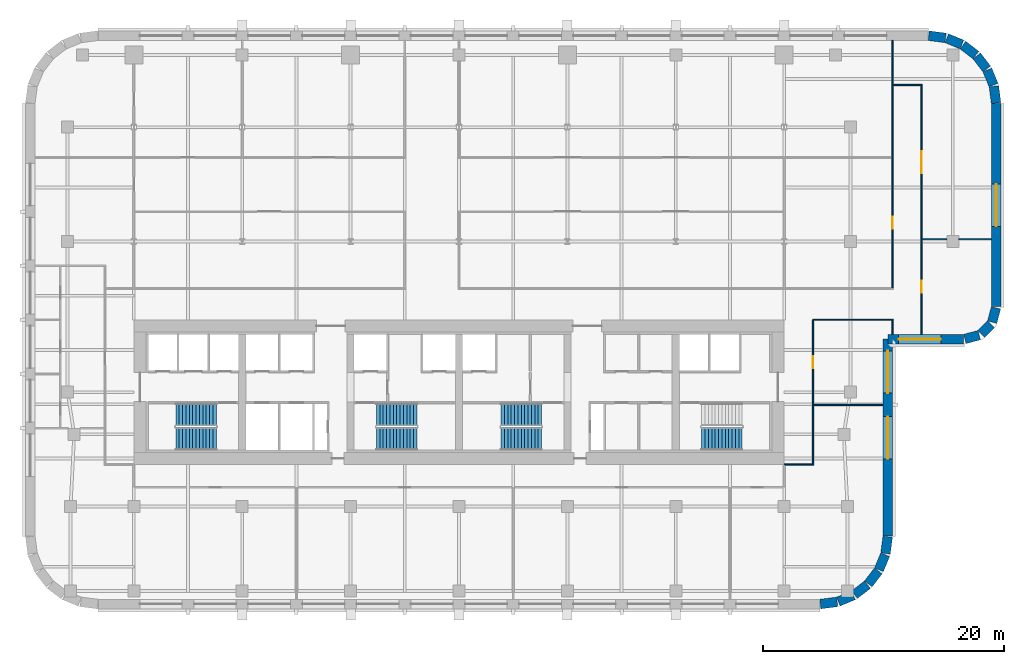
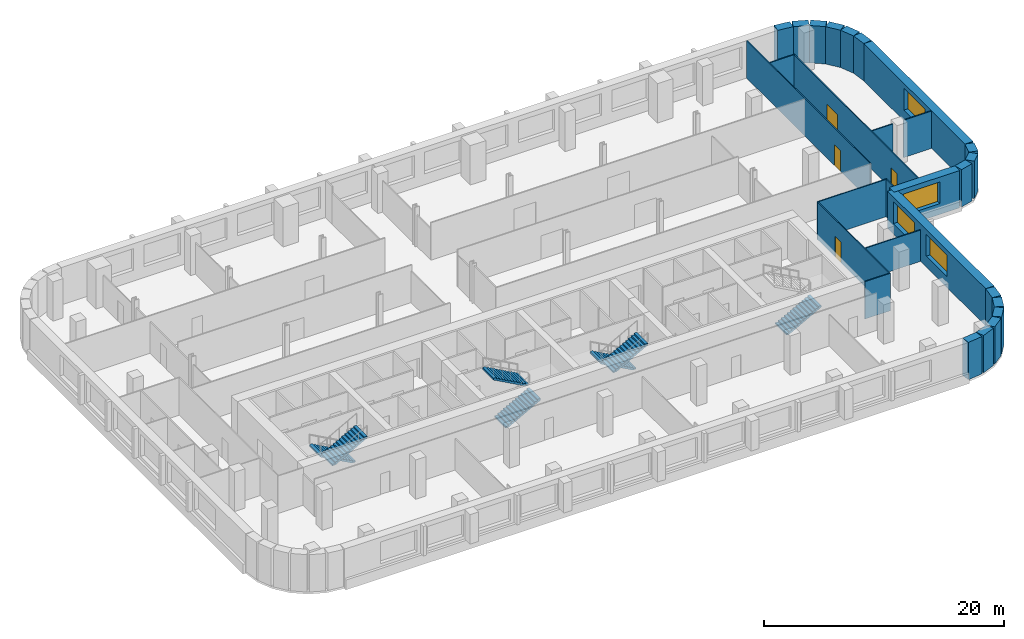
# One storey, part 7 of 10: 28 walls, 7 stair flights, 4 doors, 4 windows, 8 openings, 4 elements without a shape of their own.
"""IFC4 building model written with IfcOpenShell, lengths in metres."""

import ifcopenshell
import ifcopenshell.guid

model = None  # the IFC model being written
_history = None  # IfcOwnerHistory: only IFC2X3 demands one
_inside = {}  # id of a spatial element -> (the spatial element, [elements in it])
_under = {}  # id of a project, library or spatial element -> (it, [spatial elements below it])
_declared = {}  # id of a project -> (the project, [libraries it declares])
_typed = {}  # id of a type object -> (the type object, [elements of that type])
_made_of = {}  # id of a material, layer set ... -> (it, [elements and type objects made of it])


def new_model(schema):
    """Start an empty IFC model of exactly this schema.

    Asked for "IFC4X3", IfcOpenShell would pick the latest addendum, in which some entities
    have other attributes; the version numbers below select the first issue.
    IFC2X3 requires an IfcOwnerHistory on every rooted entity: one is made here for all.
    """
    global model, _history
    if schema == "IFC4X3":
        model = ifcopenshell.file(schema_version=(4, 3, 0, 0))
    else:
        model = ifcopenshell.file(schema=schema)
    _inside.clear()
    _under.clear()
    _declared.clear()
    _typed.clear()
    _made_of.clear()
    _history = None
    if model.schema == "IFC2X3":
        org = make("IfcOrganization", Name="unknown")
        user = make(
            "IfcPersonAndOrganization",
            ThePerson=make("IfcPerson", FamilyName="unknown"),
            TheOrganization=org,
        )
        app = make(
            "IfcApplication",
            ApplicationDeveloper=org,
            Version="unknown",
            ApplicationFullName="unknown",
            ApplicationIdentifier="unknown",
        )
        _history = make(
            "IfcOwnerHistory",
            OwningUser=user,
            OwningApplication=app,
            ChangeAction="ADDED",
            CreationDate=0,
        )
    return model


def make(cls, **values):
    """One entity of the class cls with the attributes given. An attribute that is None is left unset."""
    return model.create_entity(
        cls, **{name: value for name, value in values.items() if value is not None}
    )


def rooted(cls, **values):
    """An entity with a GlobalId (a new one), such as an element, a storey or a relation."""
    return make(cls, GlobalId=ifcopenshell.guid.new(), OwnerHistory=_history, **values)


def si_unit(unit_type, name, prefix=None):
    """IfcSIUnit, for example si_unit("LENGTHUNIT", "METRE", prefix="MILLI")."""
    return make("IfcSIUnit", UnitType=unit_type, Prefix=prefix, Name=name)


def assignment(units):
    """IfcUnitAssignment: the units of a project."""
    return None if units is None else make("IfcUnitAssignment", Units=units)


def point(xyz):
    """IfcCartesianPoint."""
    return None if xyz is None else make("IfcCartesianPoint", Coordinates=xyz)


def direction(xyz):
    """IfcDirection."""
    return None if xyz is None else make("IfcDirection", DirectionRatios=xyz)


def frame(location, z_axis=None, x_axis=None):
    """IfcAxis2Placement3D, a coordinate frame: its origin and axes. An axis left out is left unset."""
    return make(
        "IfcAxis2Placement3D",
        Location=point(location),
        Axis=direction(z_axis),
        RefDirection=direction(x_axis),
    )


def frame_2d(location, x_axis=None):
    """IfcAxis2Placement2D, a coordinate frame in the plane: its origin and x axis."""
    return make(
        "IfcAxis2Placement2D", Location=point(location), RefDirection=direction(x_axis)
    )


def origin():
    """The frame at (0, 0, 0) with its axes left unset."""
    return frame((0.0, 0.0, 0.0))


def place(relative_to, where):
    """IfcLocalPlacement: puts the frame where relative to a parent placement (None: the world)."""
    return make(
        "IfcLocalPlacement", PlacementRelTo=relative_to, RelativePlacement=where
    )


def context(
    kind, dimensions, precision=None, world=None, true_north=None, identifier=None
):
    """IfcGeometricRepresentationContext, for example the 3D "Model" context."""
    return make(
        "IfcGeometricRepresentationContext",
        ContextIdentifier=identifier,
        ContextType=kind,
        CoordinateSpaceDimension=dimensions,
        Precision=precision,
        WorldCoordinateSystem=world,
        TrueNorth=true_north,
    )


def subcontext(parent, identifier, kind, view, scale=None):
    """IfcGeometricRepresentationSubContext, for example "Body" below "Model"."""
    return make(
        "IfcGeometricRepresentationSubContext",
        ContextIdentifier=identifier,
        ContextType=kind,
        ParentContext=parent,
        TargetScale=scale,
        TargetView=view,
    )


def project(units=None, contexts=None):
    """IfcProject with its units and contexts."""
    return rooted(
        "IfcProject",
        Name="project",
        RepresentationContexts=contexts,
        UnitsInContext=assignment(units),
    )


def spatial(cls, under=None, at=None, **own):
    """A site, building, storey or space (cls), placed at a placement, below another one or the project."""
    s = rooted(cls, ObjectPlacement=at, **own)
    if under is not None:
        _under.setdefault(under.id(), (under, []))[1].append(s)
    return s


def polyline(points):
    """IfcPolyline through the points."""
    return make("IfcPolyline", Points=[point(p) for p in points])


def profile(cls, at=None, kind="AREA", **sizes):
    """A parametric profile (cls). Its sizes go by their IFC names, for example OverallWidth=200.0."""
    return make(cls, ProfileType=kind, Position=at, **sizes)


def rectangle(**sizes):
    """IfcRectangleProfileDef."""
    return profile("IfcRectangleProfileDef", **sizes)


def outline(outer, holes=None, kind="AREA"):
    """IfcArbitraryClosedProfileDef: a profile drawn as a closed curve; with holes, ...WithVoids."""
    if holes is None:
        return make("IfcArbitraryClosedProfileDef", ProfileType=kind, OuterCurve=outer)
    return make(
        "IfcArbitraryProfileDefWithVoids",
        ProfileType=kind,
        OuterCurve=outer,
        InnerCurves=holes,
    )


def extrude(swept, where, along, depth):
    """IfcExtrudedAreaSolid: the profile swept, set in the frame where, extruded along a direction by depth."""
    return make(
        "IfcExtrudedAreaSolid",
        SweptArea=swept,
        Position=where,
        ExtrudedDirection=direction(along),
        Depth=depth,
    )


def shape(context_of_items, identifier, shape_type, items):
    """IfcShapeRepresentation: the items that make up one representation, for example the "Body"."""
    return make(
        "IfcShapeRepresentation",
        ContextOfItems=context_of_items,
        RepresentationIdentifier=identifier,
        RepresentationType=shape_type,
        Items=items,
    )


def material(Name=None, Category=None):
    """IfcMaterial."""
    return make("IfcMaterial", Name=Name, Category=Category)


def layer(
    of_material, thickness, ventilated=None, Name=None, Category=None, Priority=None
):
    """IfcMaterialLayer: one layer of a wall or slab, of a material (None: an air gap)."""
    return make(
        "IfcMaterialLayer",
        Material=of_material,
        LayerThickness=thickness,
        IsVentilated=ventilated,
        Name=Name,
        Category=Category,
        Priority=Priority,
    )


def layer_set(layers, Name=None):
    """IfcMaterialLayerSet."""
    return make("IfcMaterialLayerSet", MaterialLayers=layers, LayerSetName=Name)


def made_of(thing, what):
    """Note that an element or type object is made of a material, layer set ...; save() writes the relation."""
    if what is not None:
        _made_of.setdefault(what.id(), (what, []))[1].append(thing)
    return thing


def type_object(cls, material=None, **own):
    """A type object (cls), such as IfcWallType, which elements share."""
    return made_of(rooted(cls, **own), material)


def element(
    cls,
    number,
    at=None,
    inside=None,
    cuts=None,
    type_object=None,
    material=None,
    context=None,
    identifier="Body",
    shape_type=None,
    held_by="IfcProductDefinitionShape",
    body=None,
    shapes=None,
    **own,
):
    """One element of the class cls, such as IfcWall. Its Tag is "e" and its number.

    at: its placement. inside: the storey or other place that contains it. cuts: it is an
    opening in that element (IfcRelVoidsElement). A single representation is given by context,
    identifier, shape_type and body (its items); several are given by shapes. held_by: the class
    of the entity that holds the representations. save() writes the other relations.
    """
    e = rooted(cls, Tag="e%d" % number, ObjectPlacement=at, **own)
    if body is not None:
        shapes = [shape(context, identifier, shape_type, body)]
    if shapes is not None:
        e.Representation = make(held_by, Representations=shapes)
    if inside is not None:
        _inside.setdefault(inside.id(), (inside, []))[1].append(e)
    if cuts is not None:
        rooted(
            "IfcRelVoidsElement", RelatingBuildingElement=cuts, RelatedOpeningElement=e
        )
    if type_object is not None:
        _typed.setdefault(type_object.id(), (type_object, []))[1].append(e)
    return made_of(e, material)


def fill(opening, filler):
    """IfcRelFillsElement: the door or window that sits in an opening."""
    return rooted(
        "IfcRelFillsElement",
        RelatingOpeningElement=opening,
        RelatedBuildingElement=filler,
    )


def aggregate(whole, parts):
    """IfcRelAggregates: a whole, such as a stair, and the parts it consists of."""
    return rooted("IfcRelAggregates", RelatingObject=whole, RelatedObjects=parts)


def save(model, path):
    """Write the relations noted so far, then the file.

    IfcRelAggregates (storeys below a building ...), IfcRelContainedInSpatialStructure (elements
    in a storey), IfcRelDefinesByType, IfcRelAssociatesMaterial and IfcRelDeclares: one each for
    every whole, place, type object, material and project.
    """
    for whole, parts in _under.values():
        aggregate(whole, parts)
    for where, things in _inside.values():
        rooted(
            "IfcRelContainedInSpatialStructure",
            RelatedElements=things,
            RelatingStructure=where,
        )
    for kind, things in _typed.values():
        rooted("IfcRelDefinesByType", RelatedObjects=things, RelatingType=kind)
    for what, things in _made_of.values():
        rooted("IfcRelAssociatesMaterial", RelatedObjects=things, RelatingMaterial=what)
    for by, libraries in _declared.values():
        rooted("IfcRelDeclares", RelatingContext=by, RelatedDefinitions=libraries)
    model.write(path)


model = new_model("IFC4")

# Units and contexts
model_context = context("Model", 3, precision=1e-05, world=origin(), true_north=direction((0.0, 1.0)))
body_context = subcontext(model_context, "Body", "Model", "MODEL_VIEW")
ifc_project = project(units=[si_unit("LENGTHUNIT", "METRE"), si_unit("AREAUNIT", "SQUARE_METRE"), si_unit("VOLUMEUNIT", "CUBIC_METRE"), si_unit("PLANEANGLEUNIT", "RADIAN"), si_unit("MASSUNIT", "GRAM", prefix="KILO")], contexts=[model_context])

# Site, building, storey
site_placement = place(None, origin())
site = spatial("IfcSite", under=ifc_project, at=site_placement, CompositionType="ELEMENT")
building_placement = place(site_placement, origin())
building = spatial("IfcBuilding", under=site, at=building_placement, Name="Zellij Exchange Tower", CompositionType="ELEMENT")
storey_placement = place(building_placement, frame((0.0, 0.0, 128.5)))
storey = spatial("IfcBuildingStorey", under=building, at=storey_placement, Name="L28", CompositionType="ELEMENT", Elevation=128.5)

# Walls
ifc_material_1 = material(Name="Precast concrete C40/50", Category="concrete")
ifc_layer_1 = layer(ifc_material_1, 0.800048828125)
ifc_layer_set_1 = layer_set([ifc_layer_1], Name="Precast concrete C40/50")
wall_type_1 = type_object("IfcWallType", Name="ENV-EW1 Precast stone-piered wall 800", PredefinedType="SOLIDWALL", material=ifc_layer_set_1)
wall_1_placement = place(storey_placement, frame((29.999755859375, -25.5966796875, 0.0), z_axis=(0.0, 0.0, 1.0), x_axis=(0.99144603414, 0.130517283865, 0.0)))
element("IfcWall", 1, at=wall_1_placement, inside=storey, type_object=wall_type_1, Name="fac.L28.01", PredefinedType="SOLIDWALL", context=body_context, shape_type="SweptSolid", body=[
    extrude(rectangle(XDim=1.408447265625, YDim=0.800048828125, at=frame_2d((0.7041015625, 0.0))), origin(), (0.0, 0.0, 1.0), 3.800048828125),
])
wall_2_placement = place(storey_placement, frame((31.497314453125, -25.3857421875, 0.0), z_axis=(0.0, 0.0, 1.0), x_axis=(0.923847774587, 0.38276009378, 0.0)))
element("IfcWall", 2, at=wall_2_placement, inside=storey, type_object=wall_type_1, Name="fac.L28.02", PredefinedType="SOLIDWALL", context=body_context, shape_type="SweptSolid", body=[
    extrude(rectangle(XDim=1.35546875, YDim=0.800048828125, at=frame_2d((0.677734375, 0.0))), origin(), (0.0, 0.0, 1.0), 3.800048828125),
])
for number, where, z_axis, x_axis, name in (
    (3, (32.840087890625, -24.814697265625, 0.0), (0.0, 0.0, 1.0), (0.793272915452, 0.608866226366, 0.0), "fac.L28.03"),
    (4, (33.9892578125, -23.91552734375, 0.0), (0.0, 0.0, 1.0), (0.608866226366, 0.793272915452, 0.0), "fac.L28.04"),
):
    element("IfcWall", number, at=place(storey_placement, frame(where, z_axis=z_axis, x_axis=x_axis)), inside=storey, type_object=wall_type_1, Name=name, PredefinedType="SOLIDWALL", context=body_context, shape_type="SweptSolid", body=[
        extrude(rectangle(XDim=1.355712890625, YDim=0.800048828125, at=frame_2d((0.677734375, 0.0))), origin(), (0.0, 0.0, 1.0), 3.800048828125),
    ])
wall_3_placement = place(storey_placement, frame((34.866943359375, -22.74951171875, 0.0), z_axis=(0.0, 0.0, 1.0), x_axis=(0.38276009378, 0.923847774587, 0.0)))
element("IfcWall", 5, at=wall_3_placement, inside=storey, type_object=wall_type_1, Name="fac.L28.05", PredefinedType="SOLIDWALL", context=body_context, shape_type="SweptSolid", body=[
    extrude(rectangle(XDim=1.35546875, YDim=0.800048828125, at=frame_2d((0.677734375, 0.0))), origin(), (0.0, 0.0, 1.0), 3.800048828125),
])
wall_4_placement = place(storey_placement, frame((35.412841796875, -21.396240234375, 0.0), z_axis=(0.0, 0.0, 1.0), x_axis=(0.130517283865, 0.99144603414, 0.0)))
element("IfcWall", 6, at=wall_4_placement, inside=storey, type_object=wall_type_1, Name="fac.L28.06", PredefinedType="SOLIDWALL", context=body_context, shape_type="SweptSolid", body=[
    extrude(rectangle(XDim=1.408447265625, YDim=0.800048828125, at=frame_2d((0.7041015625, 0.0))), origin(), (0.0, 0.0, 1.0), 3.800048828125),
])

# Wall, openings, windows
wall_5_placement = place(storey_placement, frame((35.60009765625, -19.947509765625, 0.0), z_axis=(0.0, 0.0, 1.0), x_axis=(0.0, 1.0, 0.0)))
wall_5 = element("IfcWall", 7, at=wall_5_placement, inside=storey, type_object=wall_type_1, Name="fac.L28.07", PredefinedType="SOLIDWALL", context=body_context, shape_type="SweptSolid", body=[
    extrude(rectangle(XDim=16.347412109375, YDim=0.800048828125, at=frame_2d((8.173828125, 0.0))), origin(), (0.0, 0.0, 1.0), 3.800048828125),
])
opening_1_placement = place(wall_5_placement, frame((6.41064453125, 0.0, 1.10009765625)))
opening_1 = element("IfcOpeningElement", 8, at=opening_1_placement, cuts=wall_5, Name="Opening FZ2.13", PredefinedType="OPENING", context=body_context, shape_type="SweptSolid", body=[
    extrude(rectangle(XDim=3.5, YDim=2.199951171875, at=frame_2d((1.75, 1.10009765625))), frame((0.0, 0.412109375, 0.0), z_axis=(0.0, -1.0, 0.0), x_axis=(1.0, 0.0, 0.0)), (0.0, 0.0, 1.0), 0.823974609375),
])
opening_2_placement = place(wall_5_placement, frame((11.86865234375, 0.0, 1.10009765625)))
opening_2 = element("IfcOpeningElement", 9, at=opening_2_placement, cuts=wall_5, Name="Opening FZ2.14", PredefinedType="OPENING", context=body_context, shape_type="SweptSolid", body=[
    extrude(rectangle(XDim=3.5, YDim=2.199951171875, at=frame_2d((1.75, 1.10009765625))), frame((0.0, 0.412109375, 0.0), z_axis=(0.0, -1.0, 0.0), x_axis=(1.0, 0.0, 0.0)), (0.0, 0.0, 1.0), 0.823974609375),
])
ifc_material_2 = material(Name="Aluminium frame with insulating glass", Category="aluminium")
window_type = type_object("IfcWindowType", Name="ENV-W7 Window 3500x2200", PartitioningType="SINGLE_PANEL", PredefinedType="WINDOW", material=ifc_material_2)
window_1_placement = place(opening_1_placement, origin())
window_1 = element("IfcWindow", 10, at=window_1_placement, inside=storey, type_object=window_type, Name="Window FZ2.13", OverallHeight=2.199951171875, OverallWidth=3.5, PartitioningType="SINGLE_PANEL", PredefinedType="WINDOW", context=body_context, shape_type="SweptSolid", body=[
    extrude(rectangle(XDim=3.5, YDim=2.199951171875, at=frame_2d((1.75, 1.10009765625))), frame((0.0, 0.030029296875, 0.0), z_axis=(0.0, -1.0, 0.0), x_axis=(1.0, 0.0, 0.0)), (0.0, 0.0, 1.0), 0.06005859375),
])
fill(opening_1, window_1)
window_2_placement = place(opening_2_placement, origin())
window_2 = element("IfcWindow", 11, at=window_2_placement, inside=storey, type_object=window_type, Name="Window FZ2.14", OverallHeight=2.199951171875, OverallWidth=3.5, PartitioningType="SINGLE_PANEL", PredefinedType="WINDOW", context=body_context, shape_type="SweptSolid", body=[
    extrude(rectangle(XDim=3.5, YDim=2.199951171875, at=frame_2d((1.75, 1.10009765625))), frame((0.0, 0.030029296875, 0.0), z_axis=(0.0, -1.0, 0.0), x_axis=(1.0, 0.0, 0.0)), (0.0, 0.0, 1.0), 0.06005859375),
])
fill(opening_2, window_2)

# Wall, opening, window
wall_6_placement = place(storey_placement, frame((35.60009765625, -3.60009765625, 0.0), z_axis=(0.0, 0.0, 1.0), x_axis=(1.0, 0.0, 0.0)))
wall_6 = element("IfcWall", 12, at=wall_6_placement, inside=storey, type_object=wall_type_1, Name="fac.L28.08", PredefinedType="SOLIDWALL", context=body_context, shape_type="SweptSolid", body=[
    extrude(rectangle(XDim=6.29443359375, YDim=0.800048828125, at=frame_2d((3.147216796875, 0.0))), origin(), (0.0, 0.0, 1.0), 3.800048828125),
])
opening_3_placement = place(wall_6_placement, frame((0.89990234375, 0.0, 1.10009765625)))
opening_3 = element("IfcOpeningElement", 13, at=opening_3_placement, cuts=wall_6, Name="Opening FZ2.15", PredefinedType="OPENING", context=body_context, shape_type="SweptSolid", body=[
    extrude(rectangle(XDim=3.5, YDim=2.199951171875, at=frame_2d((1.75, 1.10009765625))), frame((0.0, 0.412109375, 0.0), z_axis=(0.0, -1.0, 0.0), x_axis=(1.0, 0.0, 0.0)), (0.0, 0.0, 1.0), 0.823974609375),
])
window_3_placement = place(opening_3_placement, origin())
window_3 = element("IfcWindow", 14, at=window_3_placement, inside=storey, type_object=window_type, Name="Window FZ2.15", OverallHeight=2.199951171875, OverallWidth=3.5, PartitioningType="SINGLE_PANEL", PredefinedType="WINDOW", context=body_context, shape_type="SweptSolid", body=[
    extrude(rectangle(XDim=3.5, YDim=2.199951171875, at=frame_2d((1.75, 1.10009765625))), frame((0.0, 0.030029296875, 0.0), z_axis=(0.0, -1.0, 0.0), x_axis=(1.0, 0.0, 0.0)), (0.0, 0.0, 1.0), 0.06005859375),
])
fill(opening_3, window_3)

# Walls
wall_7_placement = place(storey_placement, frame((41.998291015625, -3.58642578125, 0.0), z_axis=(0.0, 0.0, 1.0), x_axis=(0.965892366842, 0.258943885187, 0.0)))
element("IfcWall", 15, at=wall_7_placement, inside=storey, type_object=wall_type_1, Name="fac.L28.09", PredefinedType="SOLIDWALL", context=body_context, shape_type="SweptSolid", body=[
    extrude(rectangle(XDim=1.233154296875, YDim=0.800048828125, at=frame_2d((0.61669921875, 0.0))), origin(), (0.0, 0.0, 1.0), 3.800048828125),
])
wall_8_placement = place(storey_placement, frame((43.36865234375, -3.163818359375, 0.0), z_axis=(0.0, 0.0, 1.0), x_axis=(0.707106781187, 0.707106781187, 0.0)))
element("IfcWall", 16, at=wall_8_placement, inside=storey, type_object=wall_type_1, Name="fac.L28.10", PredefinedType="SOLIDWALL", context=body_context, shape_type="SweptSolid", body=[
    extrude(rectangle(XDim=1.12451171875, YDim=0.800048828125, at=frame_2d((0.562255859375, 0.0))), origin(), (0.0, 0.0, 1.0), 3.800048828125),
])
wall_9_placement = place(storey_placement, frame((44.26708984375, -2.189453125, 0.0), z_axis=(0.0, 0.0, 1.0), x_axis=(0.258943885187, 0.965892366842, 0.0)))
element("IfcWall", 17, at=wall_9_placement, inside=storey, type_object=wall_type_1, Name="fac.L28.11", PredefinedType="SOLIDWALL", context=body_context, shape_type="SweptSolid", body=[
    extrude(rectangle(XDim=1.233154296875, YDim=0.800048828125, at=frame_2d((0.61669921875, 0.0))), origin(), (0.0, 0.0, 1.0), 3.800048828125),
])

# Wall, opening, window
wall_10_placement = place(storey_placement, frame((44.60009765625, -0.89453125, 0.0), z_axis=(0.0, 0.0, 1.0), x_axis=(0.0, 1.0, 0.0)))
wall_10 = element("IfcWall", 18, at=wall_10_placement, inside=storey, type_object=wall_type_1, Name="fac.L28.12", PredefinedType="SOLIDWALL", context=body_context, shape_type="SweptSolid", body=[
    extrude(rectangle(XDim=16.842041015625, YDim=0.800048828125, at=frame_2d((8.4208984375, 0.0))), origin(), (0.0, 0.0, 1.0), 3.800048828125),
])
opening_4_placement = place(wall_10_placement, frame((6.657958984375, 0.0, 1.10009765625)))
opening_4 = element("IfcOpeningElement", 19, at=opening_4_placement, cuts=wall_10, Name="Opening FZ2.16", PredefinedType="OPENING", context=body_context, shape_type="SweptSolid", body=[
    extrude(rectangle(XDim=3.5, YDim=2.199951171875, at=frame_2d((1.75, 1.10009765625))), frame((0.0, 0.412109375, 0.0), z_axis=(0.0, -1.0, 0.0), x_axis=(1.0, 0.0, 0.0)), (0.0, 0.0, 1.0), 0.823974609375),
])
window_4_placement = place(opening_4_placement, origin())
window_4 = element("IfcWindow", 20, at=window_4_placement, inside=storey, type_object=window_type, Name="Window FZ2.16", OverallHeight=2.199951171875, OverallWidth=3.5, PartitioningType="SINGLE_PANEL", PredefinedType="WINDOW", context=body_context, shape_type="SweptSolid", body=[
    extrude(rectangle(XDim=3.5, YDim=2.199951171875, at=frame_2d((1.75, 1.10009765625))), frame((0.0, 0.030029296875, 0.0), z_axis=(0.0, -1.0, 0.0), x_axis=(1.0, 0.0, 0.0)), (0.0, 0.0, 1.0), 0.06005859375),
])
fill(opening_4, window_4)

# Walls
wall_11_placement = place(storey_placement, frame((44.5966796875, 15.999755859375, 0.0), z_axis=(0.0, 0.0, 1.0), x_axis=(-0.130517283865, 0.99144603414, 0.0)))
element("IfcWall", 21, at=wall_11_placement, inside=storey, type_object=wall_type_1, Name="fac.L28.13", PredefinedType="SOLIDWALL", context=body_context, shape_type="SweptSolid", body=[
    extrude(rectangle(XDim=1.408447265625, YDim=0.800048828125, at=frame_2d((0.7041015625, 0.0))), origin(), (0.0, 0.0, 1.0), 3.800048828125),
])
wall_12_placement = place(storey_placement, frame((44.3857421875, 17.497314453125, 0.0), z_axis=(0.0, 0.0, 1.0), x_axis=(-0.38276009378, 0.923847774587, 0.0)))
element("IfcWall", 22, at=wall_12_placement, inside=storey, type_object=wall_type_1, Name="fac.L28.14", PredefinedType="SOLIDWALL", context=body_context, shape_type="SweptSolid", body=[
    extrude(rectangle(XDim=1.35546875, YDim=0.800048828125, at=frame_2d((0.677734375, 0.0))), origin(), (0.0, 0.0, 1.0), 3.800048828125),
])
for number, where, z_axis, x_axis, name in (
    (23, (43.814697265625, 18.840087890625, 0.0), (0.0, 0.0, 1.0), (-0.608866226366, 0.793272915452, 0.0), "fac.L28.15"),
    (24, (42.91552734375, 19.9892578125, 0.0), (0.0, 0.0, 1.0), (-0.793272915452, 0.608866226366, 0.0), "fac.L28.16"),
):
    element("IfcWall", number, at=place(storey_placement, frame(where, z_axis=z_axis, x_axis=x_axis)), inside=storey, type_object=wall_type_1, Name=name, PredefinedType="SOLIDWALL", context=body_context, shape_type="SweptSolid", body=[
        extrude(rectangle(XDim=1.355712890625, YDim=0.800048828125, at=frame_2d((0.677734375, 0.0))), origin(), (0.0, 0.0, 1.0), 3.800048828125),
    ])
wall_13_placement = place(storey_placement, frame((41.74951171875, 20.866943359375, 0.0), z_axis=(0.0, 0.0, 1.0), x_axis=(-0.923847774587, 0.38276009378, 0.0)))
element("IfcWall", 25, at=wall_13_placement, inside=storey, type_object=wall_type_1, Name="fac.L28.17", PredefinedType="SOLIDWALL", context=body_context, shape_type="SweptSolid", body=[
    extrude(rectangle(XDim=1.35546875, YDim=0.800048828125, at=frame_2d((0.677734375, 0.0))), origin(), (0.0, 0.0, 1.0), 3.800048828125),
])
wall_14_placement = place(storey_placement, frame((40.396240234375, 21.412841796875, 0.0), z_axis=(0.0, 0.0, 1.0), x_axis=(-0.99144603414, 0.130517283865, 0.0)))
element("IfcWall", 26, at=wall_14_placement, inside=storey, type_object=wall_type_1, Name="fac.L28.18", PredefinedType="SOLIDWALL", context=body_context, shape_type="SweptSolid", body=[
    extrude(rectangle(XDim=1.408447265625, YDim=0.800048828125, at=frame_2d((0.7041015625, 0.0))), origin(), (0.0, 0.0, 1.0), 3.800048828125),
])
ifc_material_3 = material(Name="Gypsum board partition on steel studs", Category="steel")
ifc_layer_2 = layer(ifc_material_3, 0.10009765625)
ifc_layer_set_2 = layer_set([ifc_layer_2], Name="Gypsum board partition on steel studs")
wall_type_2 = type_object("IfcWallType", Name="FIT-PARTITION-100", PredefinedType="PARTITIONING", material=ifc_layer_set_2)
wall_15_placement = place(storey_placement, frame((27.0, -14.0, 0.0), z_axis=(0.0, 0.0, 1.0), x_axis=(1.0, 0.0, 0.0)))
element("IfcWall", 27, at=wall_15_placement, inside=storey, type_object=wall_type_2, Name="FIT-PARTITION-100 012", PredefinedType="PARTITIONING", context=body_context, shape_type="SweptSolid", body=[
    extrude(rectangle(XDim=2.449951171875, YDim=0.10009765625, at=frame_2d((1.22509765625, 0.0))), origin(), (0.0, 0.0, 1.0), 3.800048828125),
])

# Wall, opening, door
wall_16_placement = place(storey_placement, frame((29.39990234375, -13.949951171875, 0.0), z_axis=(0.0, 0.0, 1.0), x_axis=(0.0, 1.0, 0.0)))
wall_16 = element("IfcWall", 28, at=wall_16_placement, inside=storey, type_object=wall_type_2, Name="FIT-PARTITION-100 013", PredefinedType="PARTITIONING", context=body_context, shape_type="SweptSolid", body=[
    extrude(rectangle(XDim=11.89990234375, YDim=0.10009765625, at=frame_2d((5.949951171875, 0.0))), origin(), (0.0, 0.0, 1.0), 3.800048828125),
])
opening_5_placement = place(wall_16_placement, frame((7.93994140625, 0.0, 0.0)))
opening_5 = element("IfcOpeningElement", 29, at=opening_5_placement, cuts=wall_16, Name="Opening TF.06", PredefinedType="OPENING", context=body_context, shape_type="SweptSolid", body=[
    extrude(rectangle(XDim=1.0, YDim=2.10009765625, at=frame_2d((0.5, 1.050048828125))), frame((0.0, 0.06201171875, 0.0), z_axis=(0.0, -1.0, 0.0), x_axis=(1.0, 0.0, 0.0)), (0.0, 0.0, 1.0), 0.1240234375),
])
ifc_material_4 = material(Name="Timber door set", Category="wood")
door_type_1 = type_object("IfcDoorType", Name="FIT-D2-WIDE-1000X2100", OperationType="SINGLE_SWING_LEFT", PredefinedType="DOOR", material=ifc_material_4)
door_1_placement = place(opening_5_placement, origin())
door_1 = element("IfcDoor", 30, at=door_1_placement, inside=storey, type_object=door_type_1, Name="Door TF.06", OperationType="SINGLE_SWING_RIGHT", OverallHeight=2.10009765625, OverallWidth=1.0, PredefinedType="DOOR", context=body_context, shape_type="SweptSolid", body=[
    extrude(rectangle(XDim=1.0, YDim=2.10009765625, at=frame_2d((0.5, 1.050048828125))), frame((0.0, 0.02490234375, 0.0), z_axis=(0.0, -1.0, 0.0), x_axis=(1.0, 0.0, 0.0)), (0.0, 0.0, 1.0), 0.050048828125),
])
fill(opening_5, door_1)

# Walls
wall_17_placement = place(storey_placement, frame((29.449951171875, -9.06005859375, 0.0), z_axis=(0.0, 0.0, 1.0), x_axis=(1.0, 0.0, 0.0)))
element("IfcWall", 31, at=wall_17_placement, inside=storey, type_object=wall_type_2, Name="FIT-PARTITION-100 017", PredefinedType="PARTITIONING", context=body_context, shape_type="SweptSolid", body=[
    extrude(rectangle(XDim=5.75, YDim=0.10009765625, at=frame_2d((2.875, 0.0))), origin(), (0.0, 0.0, 1.0), 3.197998046875),
])
wall_18_placement = place(storey_placement, frame((36.0, -3.199951171875, 0.0), z_axis=(0.0, 0.0, 1.0), x_axis=(0.0, 1.0, 0.0)))
element("IfcWall", 32, at=wall_18_placement, inside=storey, type_object=wall_type_2, Name="FIT-PARTITION-100 019", PredefinedType="PARTITIONING", context=body_context, shape_type="SweptSolid", body=[
    extrude(rectangle(XDim=1.14990234375, YDim=0.10009765625, at=frame_2d((0.574951171875, 0.0))), origin(), (0.0, 0.0, 1.0), 3.800048828125),
])

# Wall, openings, doors
wall_19_placement = place(storey_placement, frame((38.39990234375, -3.199951171875, 0.0), z_axis=(0.0, 0.0, 1.0), x_axis=(0.0, 1.0, 0.0)))
wall_19 = element("IfcWall", 33, at=wall_19_placement, inside=storey, type_object=wall_type_2, Name="FIT-PARTITION-100 020", PredefinedType="PARTITIONING", context=body_context, shape_type="SweptSolid", body=[
    extrude(rectangle(XDim=20.64990234375, YDim=0.10009765625, at=frame_2d((10.324951171875, 0.0))), origin(), (0.0, 0.0, 1.0), 3.800048828125),
])
opening_6_placement = place(wall_19_placement, frame((3.449951171875, 0.0, 0.0)))
opening_6 = element("IfcOpeningElement", 34, at=opening_6_placement, cuts=wall_19, Name="Opening TF.10", PredefinedType="OPENING", context=body_context, shape_type="SweptSolid", body=[
    extrude(rectangle(XDim=1.0, YDim=2.10009765625, at=frame_2d((0.5, 1.050048828125))), frame((0.0, 0.06201171875, 0.0), z_axis=(0.0, -1.0, 0.0), x_axis=(1.0, 0.0, 0.0)), (0.0, 0.0, 1.0), 0.1240234375),
])
opening_7_placement = place(wall_19_placement, frame((13.389892578125, 0.0, 0.0)))
opening_7 = element("IfcOpeningElement", 35, at=opening_7_placement, cuts=wall_19, Name="Opening TF.16", PredefinedType="OPENING", context=body_context, shape_type="SweptSolid", body=[
    extrude(rectangle(XDim=1.800048828125, YDim=2.10009765625, at=frame_2d((0.89990234375, 1.050048828125))), frame((0.0, 0.06201171875, 0.0), z_axis=(0.0, -1.0, 0.0), x_axis=(1.0, 0.0, 0.0)), (0.0, 0.0, 1.0), 0.1240234375),
])
door_2_placement = place(opening_6_placement, origin())
door_2 = element("IfcDoor", 36, at=door_2_placement, inside=storey, type_object=door_type_1, Name="Door TF.10", OperationType="SINGLE_SWING_RIGHT", OverallHeight=2.10009765625, OverallWidth=1.0, PredefinedType="DOOR", context=body_context, shape_type="SweptSolid", body=[
    extrude(rectangle(XDim=1.0, YDim=2.10009765625, at=frame_2d((0.5, 1.050048828125))), frame((0.0, 0.02490234375, 0.0), z_axis=(0.0, -1.0, 0.0), x_axis=(1.0, 0.0, 0.0)), (0.0, 0.0, 1.0), 0.050048828125),
])
fill(opening_6, door_2)
door_type_2 = type_object("IfcDoorType", Name="FIT-D3-DOUBLE-1800X2100", OperationType="DOUBLE_DOOR_SINGLE_SWING", PredefinedType="DOOR", material=ifc_material_4)
door_3_placement = place(opening_7_placement, origin())
door_3 = element("IfcDoor", 37, at=door_3_placement, inside=storey, type_object=door_type_2, Name="Door TF.16", OperationType="DOUBLE_DOOR_SINGLE_SWING", OverallHeight=2.10009765625, OverallWidth=1.800048828125, PredefinedType="DOOR", context=body_context, shape_type="SweptSolid", body=[
    extrude(rectangle(XDim=1.800048828125, YDim=2.10009765625, at=frame_2d((0.89990234375, 1.050048828125))), frame((0.0, 0.02490234375, 0.0), z_axis=(0.0, -1.0, 0.0), x_axis=(1.0, 0.0, 0.0)), (0.0, 0.0, 1.0), 0.050048828125),
])
fill(opening_7, door_3)

# Wall
wall_20_placement = place(storey_placement, frame((29.35009765625, -2.0, 0.0), z_axis=(0.0, 0.0, 1.0), x_axis=(1.0, 0.0, 0.0)))
element("IfcWall", 38, at=wall_20_placement, inside=storey, type_object=wall_type_2, Name="FIT-PARTITION-100 022", PredefinedType="PARTITIONING", context=body_context, shape_type="SweptSolid", body=[
    extrude(rectangle(XDim=6.699951171875, YDim=0.10009765625, at=frame_2d((3.35009765625, 0.0))), origin(), (0.0, 0.0, 1.0), 3.800048828125),
])

# Wall, opening, door
wall_21_placement = place(storey_placement, frame((36.0, 0.64990234375, 0.0), z_axis=(0.0, 0.0, 1.0), x_axis=(0.0, 1.0, 0.0)))
wall_21 = element("IfcWall", 39, at=wall_21_placement, inside=storey, type_object=wall_type_2, Name="FIT-PARTITION-100 032", PredefinedType="PARTITIONING", context=body_context, shape_type="SweptSolid", body=[
    extrude(rectangle(XDim=20.550048828125, YDim=0.10009765625, at=frame_2d((10.27490234375, 0.0))), origin(), (0.0, 0.0, 1.0), 3.800048828125),
])
opening_8_placement = place(wall_21_placement, frame((4.89990234375, 0.0, 0.0)))
opening_8 = element("IfcOpeningElement", 40, at=opening_8_placement, cuts=wall_21, Name="Opening TF.11", PredefinedType="OPENING", context=body_context, shape_type="SweptSolid", body=[
    extrude(rectangle(XDim=1.0, YDim=2.10009765625, at=frame_2d((0.5, 1.050048828125))), frame((0.0, 0.06201171875, 0.0), z_axis=(0.0, -1.0, 0.0), x_axis=(1.0, 0.0, 0.0)), (0.0, 0.0, 1.0), 0.1240234375),
])
door_4_placement = place(opening_8_placement, origin())
door_4 = element("IfcDoor", 41, at=door_4_placement, inside=storey, type_object=door_type_1, Name="Door TF.11", OperationType="SINGLE_SWING_LEFT", OverallHeight=2.10009765625, OverallWidth=1.0, PredefinedType="DOOR", context=body_context, shape_type="SweptSolid", body=[
    extrude(rectangle(XDim=1.0, YDim=2.10009765625, at=frame_2d((0.5, 1.050048828125))), frame((0.0, 0.02490234375, 0.0), z_axis=(0.0, -1.0, 0.0), x_axis=(1.0, 0.0, 0.0)), (0.0, 0.0, 1.0), 0.050048828125),
])
fill(opening_8, door_4)

# Walls
wall_22_placement = place(storey_placement, frame((38.449951171875, 4.68994140625, 0.0), z_axis=(0.0, 0.0, 1.0), x_axis=(1.0, 0.0, 0.0)))
element("IfcWall", 42, at=wall_22_placement, inside=storey, type_object=wall_type_2, Name="FIT-PARTITION-100 034", PredefinedType="PARTITIONING", context=body_context, shape_type="SweptSolid", body=[
    extrude(rectangle(XDim=2.050048828125, YDim=0.10009765625, at=frame_2d((1.02490234375, 0.0))), origin(), (0.0, 0.0, 1.0), 3.800048828125),
])
wall_23_placement = place(storey_placement, frame((41.5, 4.68994140625, 0.0), z_axis=(0.0, 0.0, 1.0), x_axis=(1.0, 0.0, 0.0)))
element("IfcWall", 43, at=wall_23_placement, inside=storey, type_object=wall_type_2, Name="FIT-PARTITION-100 035", PredefinedType="PARTITIONING", context=body_context, shape_type="SweptSolid", body=[
    extrude(rectangle(XDim=2.699951171875, YDim=0.10009765625, at=frame_2d((1.35009765625, 0.0))), origin(), (0.0, 0.0, 1.0), 3.800048828125),
])
wall_24_placement = place(storey_placement, frame((36.050048828125, 17.5, 0.0), z_axis=(0.0, 0.0, 1.0), x_axis=(1.0, 0.0, 0.0)))
element("IfcWall", 44, at=wall_24_placement, inside=storey, type_object=wall_type_2, Name="FIT-PARTITION-100 050", PredefinedType="PARTITIONING", context=body_context, shape_type="SweptSolid", body=[
    extrude(rectangle(XDim=2.39990234375, YDim=0.10009765625, at=frame_2d((1.199951171875, 0.0))), origin(), (0.0, 0.0, 1.0), 3.800048828125),
])

# Stair, stair flights
ifc_material_5 = material(Name="Concrete C40/50", Category="concrete")
stair_type = type_object("IfcStairType", Name="CORE-ST exit stair 1850 wide", PredefinedType="HALF_TURN_STAIR", material=ifc_material_5)
stair_1_placement = place(storey_placement, origin())
stair_1 = element("IfcStair", 45, at=stair_1_placement, inside=storey, type_object=stair_type, Name="L28 exit stair ST1", PredefinedType="HALF_TURN_STAIR")
stair_flight_type = type_object("IfcStairFlightType", Name="CORE-SF flight 1850 riser 153.8 going 280", PredefinedType="STRAIGHT", material=ifc_material_5)
stair_flight_1_placement = place(storey_placement, frame((-20.14990234375, -9.875, 0.0), z_axis=(0.0, 0.0, 1.0), x_axis=(-1.0, 0.0, 0.0)))
stair_flight_1 = element("IfcStairFlight", 46, at=stair_flight_1_placement, type_object=stair_flight_type, Name="ST1 flight 1", NumberOfRisers=13, NumberOfTreads=12, PredefinedType="STRAIGHT", RiserHeight=0.153846154, TreadLength=0.28, context=body_context, shape_type="SweptSolid", body=[
    extrude(outline(polyline([(0.0, 0.0), (0.0, 0.15380859375), (0.280029296875, 0.15380859375), (0.280029296875, 0.3076171875), (0.56005859375, 0.3076171875), (0.56005859375, 0.46142578125), (0.840087890625, 0.46142578125), (0.840087890625, 0.615478515625), (1.1201171875, 0.615478515625), (1.1201171875, 0.769287109375), (1.39990234375, 0.769287109375), (1.39990234375, 0.923095703125), (1.679931640625, 0.923095703125), (1.679931640625, 1.076904296875), (1.9599609375, 1.076904296875), (1.9599609375, 1.230712890625), (2.239990234375, 1.230712890625), (2.239990234375, 1.384521484375), (2.52001953125, 1.384521484375), (2.52001953125, 1.53857421875), (2.800048828125, 1.53857421875), (2.800048828125, 1.6923828125), (3.080078125, 1.6923828125), (3.080078125, 1.84619140625), (3.360107421875, 1.84619140625), (3.360107421875, 2.0), (3.360107421875, 1.675048828125), (0.311279296875, 0.0), (0.0, 0.0)])), frame((0.0, 0.925048828125, 0.0), z_axis=(0.0, -1.0, 0.0), x_axis=(1.0, 0.0, 0.0)), (0.0, 0.0, 1.0), 1.85009765625),
])
stair_flight_2_placement = place(storey_placement, frame((-23.510009765625, -11.875, 2.0), z_axis=(0.0, 0.0, 1.0), x_axis=(1.0, 0.0, 0.0)))
stair_flight_2 = element("IfcStairFlight", 47, at=stair_flight_2_placement, type_object=stair_flight_type, Name="ST1 flight 2", NumberOfRisers=13, NumberOfTreads=12, PredefinedType="STRAIGHT", RiserHeight=0.153846154, TreadLength=0.28, context=body_context, shape_type="SweptSolid", body=[
    extrude(outline(polyline([(0.0, 0.0), (0.0, 0.15380859375), (0.280029296875, 0.15380859375), (0.280029296875, 0.3076171875), (0.56005859375, 0.3076171875), (0.56005859375, 0.46142578125), (0.840087890625, 0.46142578125), (0.840087890625, 0.615478515625), (1.1201171875, 0.615478515625), (1.1201171875, 0.769287109375), (1.39990234375, 0.769287109375), (1.39990234375, 0.923095703125), (1.679931640625, 0.923095703125), (1.679931640625, 1.076904296875), (1.9599609375, 1.076904296875), (1.9599609375, 1.230712890625), (2.239990234375, 1.230712890625), (2.239990234375, 1.384521484375), (2.52001953125, 1.384521484375), (2.52001953125, 1.53857421875), (2.800048828125, 1.53857421875), (2.800048828125, 1.6923828125), (3.080078125, 1.6923828125), (3.080078125, 1.84619140625), (3.360107421875, 1.84619140625), (3.360107421875, 2.0), (3.360107421875, 1.675048828125), (0.311279296875, 0.0), (0.0, 0.0)])), frame((0.0, 0.925048828125, 0.0), z_axis=(0.0, -1.0, 0.0), x_axis=(1.0, 0.0, 0.0)), (0.0, 0.0, 1.0), 1.85009765625),
])
aggregate(stair_1, [stair_flight_1, stair_flight_2])

stair_2_placement = place(storey_placement, origin())
stair_2 = element("IfcStair", 48, at=stair_2_placement, inside=storey, type_object=stair_type, Name="L28 exit stair ST2", PredefinedType="HALF_TURN_STAIR")
stair_flight_3_placement = place(storey_placement, frame((-6.85009765625, -11.875, 0.0), z_axis=(0.0, 0.0, 1.0), x_axis=(1.0, 0.0, 0.0)))
stair_flight_3 = element("IfcStairFlight", 49, at=stair_flight_3_placement, type_object=stair_flight_type, Name="ST2 flight 1", NumberOfRisers=13, NumberOfTreads=12, PredefinedType="STRAIGHT", RiserHeight=0.153846154, TreadLength=0.28, context=body_context, shape_type="SweptSolid", body=[
    extrude(outline(polyline([(0.0, 0.0), (0.0, 0.15380859375), (0.280029296875, 0.15380859375), (0.280029296875, 0.3076171875), (0.56005859375, 0.3076171875), (0.56005859375, 0.46142578125), (0.840087890625, 0.46142578125), (0.840087890625, 0.615478515625), (1.1201171875, 0.615478515625), (1.1201171875, 0.769287109375), (1.39990234375, 0.769287109375), (1.39990234375, 0.923095703125), (1.679931640625, 0.923095703125), (1.679931640625, 1.076904296875), (1.9599609375, 1.076904296875), (1.9599609375, 1.230712890625), (2.239990234375, 1.230712890625), (2.239990234375, 1.384521484375), (2.52001953125, 1.384521484375), (2.52001953125, 1.53857421875), (2.800048828125, 1.53857421875), (2.800048828125, 1.6923828125), (3.080078125, 1.6923828125), (3.080078125, 1.84619140625), (3.360107421875, 1.84619140625), (3.360107421875, 2.0), (3.360107421875, 1.675048828125), (0.311279296875, 0.0), (0.0, 0.0)])), frame((0.0, 0.925048828125, 0.0), z_axis=(0.0, -1.0, 0.0), x_axis=(1.0, 0.0, 0.0)), (0.0, 0.0, 1.0), 1.85009765625),
])
stair_flight_4_placement = place(storey_placement, frame((-3.489990234375, -9.875, 2.0), z_axis=(0.0, 0.0, 1.0), x_axis=(-1.0, 0.0, 0.0)))
stair_flight_4 = element("IfcStairFlight", 50, at=stair_flight_4_placement, type_object=stair_flight_type, Name="ST2 flight 2", NumberOfRisers=13, NumberOfTreads=12, PredefinedType="STRAIGHT", RiserHeight=0.153846154, TreadLength=0.28, context=body_context, shape_type="SweptSolid", body=[
    extrude(outline(polyline([(0.0, 0.0), (0.0, 0.15380859375), (0.280029296875, 0.15380859375), (0.280029296875, 0.3076171875), (0.56005859375, 0.3076171875), (0.56005859375, 0.46142578125), (0.840087890625, 0.46142578125), (0.840087890625, 0.615478515625), (1.1201171875, 0.615478515625), (1.1201171875, 0.769287109375), (1.39990234375, 0.769287109375), (1.39990234375, 0.923095703125), (1.679931640625, 0.923095703125), (1.679931640625, 1.076904296875), (1.9599609375, 1.076904296875), (1.9599609375, 1.230712890625), (2.239990234375, 1.230712890625), (2.239990234375, 1.384521484375), (2.52001953125, 1.384521484375), (2.52001953125, 1.53857421875), (2.800048828125, 1.53857421875), (2.800048828125, 1.6923828125), (3.080078125, 1.6923828125), (3.080078125, 1.84619140625), (3.360107421875, 1.84619140625), (3.360107421875, 2.0), (3.360107421875, 1.675048828125), (0.311279296875, 0.0), (0.0, 0.0)])), frame((0.0, 0.925048828125, 0.0), z_axis=(0.0, -1.0, 0.0), x_axis=(1.0, 0.0, 0.0)), (0.0, 0.0, 1.0), 1.85009765625),
])
aggregate(stair_2, [stair_flight_3, stair_flight_4])

stair_3_placement = place(storey_placement, origin())
stair_3 = element("IfcStair", 51, at=stair_3_placement, inside=storey, type_object=stair_type, Name="L28 exit stair ST3", PredefinedType="HALF_TURN_STAIR")
stair_flight_5_placement = place(storey_placement, frame((6.85009765625, -9.875, 0.0), z_axis=(0.0, 0.0, 1.0), x_axis=(-1.0, 0.0, 0.0)))
stair_flight_5 = element("IfcStairFlight", 52, at=stair_flight_5_placement, type_object=stair_flight_type, Name="ST3 flight 1", NumberOfRisers=13, NumberOfTreads=12, PredefinedType="STRAIGHT", RiserHeight=0.153846154, TreadLength=0.28, context=body_context, shape_type="SweptSolid", body=[
    extrude(outline(polyline([(0.0, 0.0), (0.0, 0.15380859375), (0.280029296875, 0.15380859375), (0.280029296875, 0.3076171875), (0.56005859375, 0.3076171875), (0.56005859375, 0.46142578125), (0.840087890625, 0.46142578125), (0.840087890625, 0.615478515625), (1.1201171875, 0.615478515625), (1.1201171875, 0.769287109375), (1.39990234375, 0.769287109375), (1.39990234375, 0.923095703125), (1.679931640625, 0.923095703125), (1.679931640625, 1.076904296875), (1.9599609375, 1.076904296875), (1.9599609375, 1.230712890625), (2.239990234375, 1.230712890625), (2.239990234375, 1.384521484375), (2.52001953125, 1.384521484375), (2.52001953125, 1.53857421875), (2.800048828125, 1.53857421875), (2.800048828125, 1.6923828125), (3.080078125, 1.6923828125), (3.080078125, 1.84619140625), (3.360107421875, 1.84619140625), (3.360107421875, 2.0), (3.360107421875, 1.675048828125), (0.311279296875, 0.0), (0.0, 0.0)])), frame((0.0, 0.925048828125, 0.0), z_axis=(0.0, -1.0, 0.0), x_axis=(1.0, 0.0, 0.0)), (0.0, 0.0, 1.0), 1.85009765625),
])
stair_flight_6_placement = place(storey_placement, frame((3.489990234375, -11.875, 2.0), z_axis=(0.0, 0.0, 1.0), x_axis=(1.0, 0.0, 0.0)))
stair_flight_6 = element("IfcStairFlight", 53, at=stair_flight_6_placement, type_object=stair_flight_type, Name="ST3 flight 2", NumberOfRisers=13, NumberOfTreads=12, PredefinedType="STRAIGHT", RiserHeight=0.153846154, TreadLength=0.28, context=body_context, shape_type="SweptSolid", body=[
    extrude(outline(polyline([(0.0, 0.0), (0.0, 0.15380859375), (0.280029296875, 0.15380859375), (0.280029296875, 0.3076171875), (0.56005859375, 0.3076171875), (0.56005859375, 0.46142578125), (0.840087890625, 0.46142578125), (0.840087890625, 0.615478515625), (1.1201171875, 0.615478515625), (1.1201171875, 0.769287109375), (1.39990234375, 0.769287109375), (1.39990234375, 0.923095703125), (1.679931640625, 0.923095703125), (1.679931640625, 1.076904296875), (1.9599609375, 1.076904296875), (1.9599609375, 1.230712890625), (2.239990234375, 1.230712890625), (2.239990234375, 1.384521484375), (2.52001953125, 1.384521484375), (2.52001953125, 1.53857421875), (2.800048828125, 1.53857421875), (2.800048828125, 1.6923828125), (3.080078125, 1.6923828125), (3.080078125, 1.84619140625), (3.360107421875, 1.84619140625), (3.360107421875, 2.0), (3.360107421875, 1.675048828125), (0.311279296875, 0.0), (0.0, 0.0)])), frame((0.0, 0.925048828125, 0.0), z_axis=(0.0, -1.0, 0.0), x_axis=(1.0, 0.0, 0.0)), (0.0, 0.0, 1.0), 1.85009765625),
])
aggregate(stair_3, [stair_flight_5, stair_flight_6])

# Stair, stair flight
stair_4_placement = place(storey_placement, origin())
stair_4 = element("IfcStair", 54, at=stair_4_placement, inside=storey, type_object=stair_type, Name="L28 exit stair ST4", PredefinedType="HALF_TURN_STAIR")
stair_flight_7_placement = place(storey_placement, frame((20.14990234375, -11.875, 0.0), z_axis=(0.0, 0.0, 1.0), x_axis=(1.0, 0.0, 0.0)))
stair_flight_7 = element("IfcStairFlight", 55, at=stair_flight_7_placement, type_object=stair_flight_type, Name="ST4 flight 1", NumberOfRisers=13, NumberOfTreads=12, PredefinedType="STRAIGHT", RiserHeight=0.153846154, TreadLength=0.28, context=body_context, shape_type="SweptSolid", body=[
    extrude(outline(polyline([(0.0, 0.0), (0.0, 0.15380859375), (0.280029296875, 0.15380859375), (0.280029296875, 0.3076171875), (0.56005859375, 0.3076171875), (0.56005859375, 0.46142578125), (0.840087890625, 0.46142578125), (0.840087890625, 0.615478515625), (1.1201171875, 0.615478515625), (1.1201171875, 0.769287109375), (1.39990234375, 0.769287109375), (1.39990234375, 0.923095703125), (1.679931640625, 0.923095703125), (1.679931640625, 1.076904296875), (1.9599609375, 1.076904296875), (1.9599609375, 1.230712890625), (2.239990234375, 1.230712890625), (2.239990234375, 1.384521484375), (2.52001953125, 1.384521484375), (2.52001953125, 1.53857421875), (2.800048828125, 1.53857421875), (2.800048828125, 1.6923828125), (3.080078125, 1.6923828125), (3.080078125, 1.84619140625), (3.360107421875, 1.84619140625), (3.360107421875, 2.0), (3.360107421875, 1.675048828125), (0.311279296875, 0.0), (0.0, 0.0)])), frame((0.0, 0.925048828125, 0.0), z_axis=(0.0, -1.0, 0.0), x_axis=(1.0, 0.0, 0.0)), (0.0, 0.0, 1.0), 1.85009765625),
])
aggregate(stair_4, [stair_flight_7])

save(model, "model.ifc")
